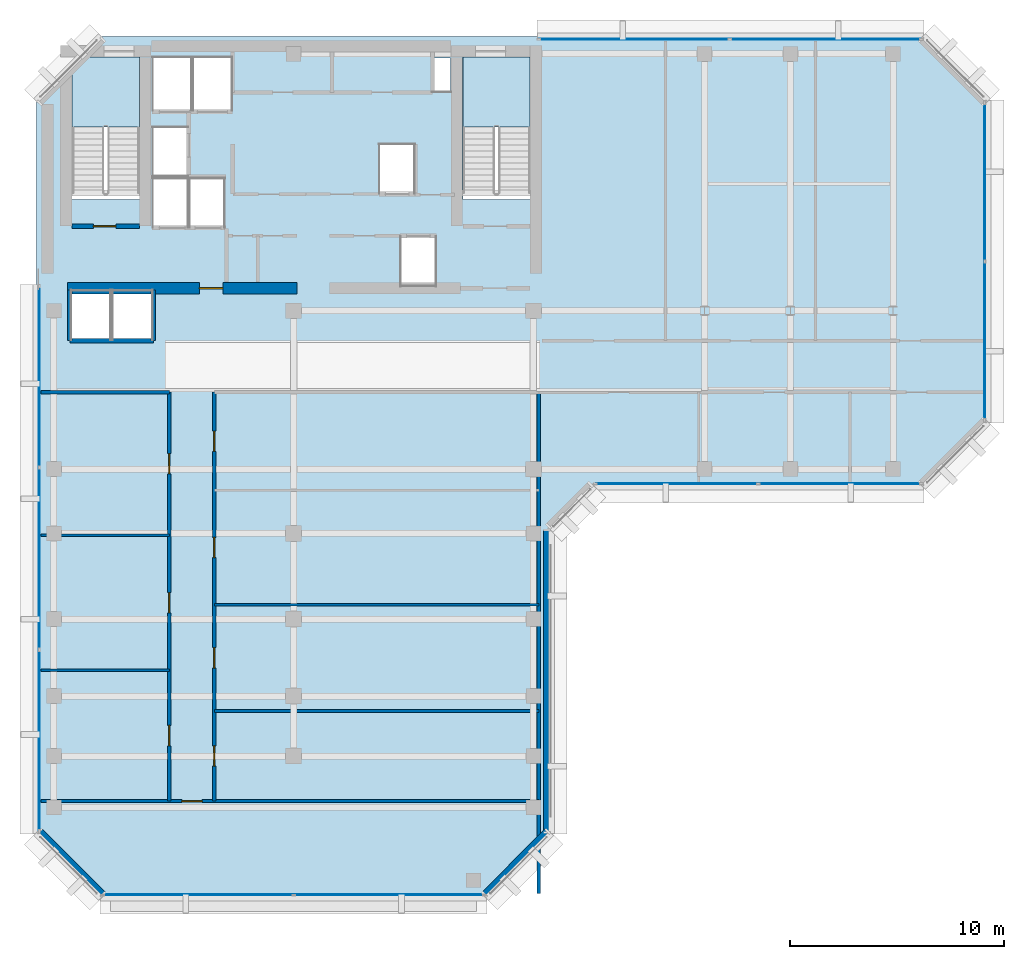
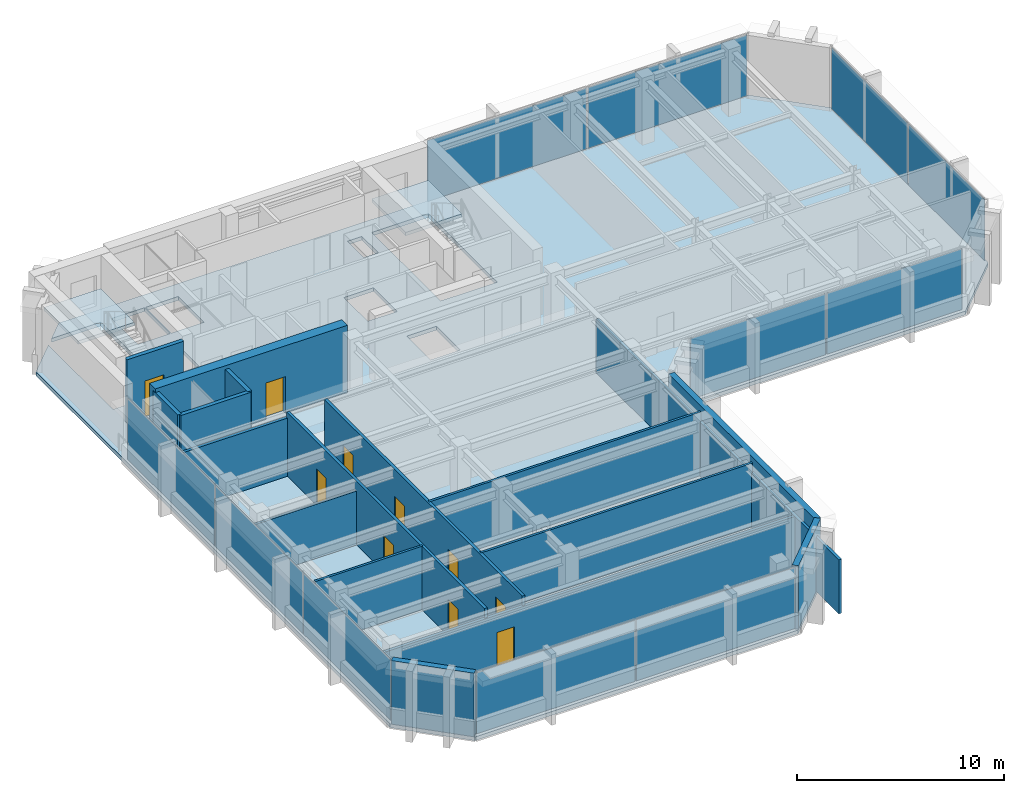
# One storey, part 6 of 11: 17 walls, 11 plates, 10 doors, 3 slabs, 10 openings, 7 elements without a shape of their own.
"""IFC4 building model written with IfcOpenShell, lengths in metres."""

from ifc_helpers import new_model, si_unit, direction, frame, frame_2d, origin, origin_2d, place, context, subcontext, project, spatial, polyline, rectangle, outline, extrude, material, layer, layer_set, type_object, element, fill, aggregate, save


model = new_model("IFC4")

# Units and contexts
model_context = context("Model", 3, precision=1e-05, world=origin(), true_north=direction((0.0, 1.0)))
body_context = subcontext(model_context, "Body", "Model", "MODEL_VIEW")
ifc_project = project(units=[si_unit("LENGTHUNIT", "METRE"), si_unit("AREAUNIT", "SQUARE_METRE"), si_unit("VOLUMEUNIT", "CUBIC_METRE"), si_unit("PLANEANGLEUNIT", "RADIAN"), si_unit("MASSUNIT", "GRAM", prefix="KILO")], contexts=[model_context])

# Site, building, storey
site_placement = place(None, origin())
site = spatial("IfcSite", under=ifc_project, at=site_placement, CompositionType="ELEMENT")
building_placement = place(site_placement, origin())
building = spatial("IfcBuilding", under=site, at=building_placement, Name="Kefirva Bronze Tower", CompositionType="ELEMENT")
storey_placement = place(building_placement, frame((0.0, 0.0, 292.050048828125)))
storey = spatial("IfcBuildingStorey", under=building, at=storey_placement, Name="L71", CompositionType="ELEMENT", Elevation=292.050048828125)

# Stair, slab
ifc_material_1 = material(Name="Concrete C40/50", Category="concrete")
stair_type = type_object("IfcStairType", Name="RC Dogleg Protected Stair 24R", PredefinedType="HALF_TURN_STAIR", material=ifc_material_1)
stair_1_placement = place(storey_placement, origin())
stair_1 = element("IfcStair", 1, at=stair_1_placement, inside=storey, type_object=stair_type, Name="L71 Protected Exit Stair 1", PredefinedType="HALF_TURN_STAIR")
ifc_layer_1 = layer(ifc_material_1, 0.199951171875, Name="Concrete C40/50")
ifc_layer_set_1 = layer_set([ifc_layer_1], Name="Concrete C40/50")
slab_type_1 = type_object("IfcSlabType", Name="RC Stair Landing Slab 200mm", PredefinedType="LANDING", material=ifc_layer_set_1)
slab_1_placement = place(storey_placement, frame((0.0, 0.0, 1.780029296875)))
slab_1 = element("IfcSlab", 2, at=slab_1_placement, type_object=slab_type_1, Name="ST-1 landing 1", PredefinedType="LANDING", context=body_context, shape_type="SweptSolid", body=[
    extrude(outline(polyline([(4.800048828125, 41.780029296875), (4.800048828125, 45.050048828125), (1.64990234375, 45.050048828125), (1.64990234375, 41.780029296875), (4.800048828125, 41.780029296875)])), origin(), (0.0, 0.0, 1.0), 0.199951171875),
])
aggregate(stair_1, [slab_1])

stair_2_placement = place(storey_placement, origin())
stair_2 = element("IfcStair", 3, at=stair_2_placement, inside=storey, type_object=stair_type, Name="L71 Protected Exit Stair 2", PredefinedType="HALF_TURN_STAIR")
slab_2_placement = place(storey_placement, frame((0.0, 0.0, 1.780029296875)))
slab_2 = element("IfcSlab", 4, at=slab_2_placement, type_object=slab_type_1, Name="ST-2 landing 1", PredefinedType="LANDING", context=body_context, shape_type="SweptSolid", body=[
    extrude(outline(polyline([(23.050048828125, 41.780029296875), (23.050048828125, 45.050048828125), (19.89990234375, 45.050048828125), (19.89990234375, 41.780029296875), (23.050048828125, 41.780029296875)])), origin(), (0.0, 0.0, 1.0), 0.199951171875),
])
aggregate(stair_2, [slab_2])

# Slab
ifc_layer_2 = layer(ifc_material_1, 0.219970703125, Name="Concrete C40/50")
ifc_layer_set_2 = layer_set([ifc_layer_2], Name="Concrete C40/50")
slab_type_2 = type_object("IfcSlabType", Name="RC Upper Floor Slab 220mm", PredefinedType="FLOOR", material=ifc_layer_set_2)
slab_3_placement = place(storey_placement, frame((0.0, 0.0, -0.219970703125)))
element("IfcSlab", 5, at=slab_3_placement, inside=storey, type_object=slab_type_2, Name="L71 Structural Floor Slab", PredefinedType="FLOOR", context=body_context, shape_type="SweptSolid", body=[
    extrude(outline(polyline([(0.0, 8.800048828125), (0.0, 43.0), (1.64990234375, 44.64990234375), (1.64990234375, 38.39990234375), (4.800048828125, 38.39990234375), (4.800048828125, 45.050048828125), (2.050048828125, 45.050048828125), (3.0, 46.0), (41.39990234375, 46.0), (44.39990234375, 43.0), (44.39990234375, 28.0), (41.39990234375, 25.0), (26.0, 25.0), (24.0, 23.0), (24.0, 8.800048828125), (21.0, 5.800048828125), (3.0, 5.800048828125), (0.0, 8.800048828125)]), holes=[polyline([(23.050048828125, 45.050048828125), (19.89990234375, 45.050048828125), (19.89990234375, 38.39990234375), (23.050048828125, 38.39990234375), (23.050048828125, 45.050048828125)]), polyline([(19.320068359375, 43.419921875), (19.320068359375, 45.0), (18.52001953125, 45.0), (18.52001953125, 43.419921875), (19.320068359375, 43.419921875)]), polyline([(18.64990234375, 36.64990234375), (17.0, 36.64990234375), (17.0, 34.35009765625), (18.64990234375, 34.35009765625), (18.64990234375, 36.64990234375)]), polyline([(17.64990234375, 38.679931640625), (17.64990234375, 40.97998046875), (16.0, 40.97998046875), (16.0, 38.679931640625), (17.64990234375, 38.679931640625)]), polyline([(9.1201171875, 42.550048828125), (9.1201171875, 45.050048828125), (7.300048828125, 45.050048828125), (7.300048828125, 42.550048828125), (9.1201171875, 42.550048828125)]), polyline([(8.780029296875, 37.10009765625), (8.780029296875, 39.39990234375), (7.139892578125, 39.39990234375), (7.139892578125, 37.10009765625), (8.780029296875, 37.10009765625)]), polyline([(7.239990234375, 42.550048828125), (7.239990234375, 45.050048828125), (5.419921875, 45.050048828125), (5.419921875, 42.550048828125), (7.239990234375, 42.550048828125)]), polyline([(7.06005859375, 37.10009765625), (7.06005859375, 39.39990234375), (5.419921875, 39.39990234375), (5.419921875, 37.10009765625), (7.06005859375, 37.10009765625)]), polyline([(7.06005859375, 41.780029296875), (5.419921875, 41.780029296875), (5.419921875, 39.47998046875), (7.06005859375, 39.47998046875), (7.06005859375, 41.780029296875)]), polyline([(5.39990234375, 31.85009765625), (5.39990234375, 34.14990234375), (3.550048828125, 34.14990234375), (3.550048828125, 31.85009765625), (5.39990234375, 31.85009765625)]), polyline([(3.449951171875, 34.14990234375), (1.60009765625, 34.14990234375), (1.60009765625, 31.85009765625), (3.449951171875, 31.85009765625), (3.449951171875, 34.14990234375)])]), origin(), (0.0, 0.0, 1.0), 0.219970703125),
])

# Curtain wall, plates
ifc_material_2 = material(Name="Bronze anodised aluminium", Category="aluminium")
ifc_layer_3 = layer(ifc_material_2, 0.179931640625, Name="Bronze anodised aluminium")
ifc_layer_set_3 = layer_set([ifc_layer_3], Name="Bronze anodised aluminium")
curtain_wall_type = type_object("IfcCurtainWallType", Name="Unitised Bronze Ribbon Curtain Wall Zone 4", PredefinedType="USERDEFINED", material=ifc_layer_set_3)
curtain_wall_1_placement = place(storey_placement, origin())
curtain_wall_1 = element("IfcCurtainWall", 6, at=curtain_wall_1_placement, inside=storey, type_object=curtain_wall_type, Name="L71 Curtain Wall 1", ObjectType="UNITISED CURTAIN WALL", PredefinedType="USERDEFINED")
ifc_material_3 = material(Name="Laminated low-E double glazing", Category="glass")
ifc_layer_4 = layer(ifc_material_3, 0.031982421875, Name="Laminated low-E double glazing")
ifc_layer_set_4 = layer_set([ifc_layer_4], Name="Laminated low-E double glazing")
plate_type = type_object("IfcPlateType", Name="Solar-Control Low-E Vision Panel 32mm", PredefinedType="CURTAIN_PANEL", material=ifc_layer_set_4)
plate_1_placement = place(storey_placement, frame((7.546142578125, 5.919921875, 0.07470703125), z_axis=(0.0, 0.0, 1.0), x_axis=(1.0, 0.0, 0.0)))
plate_1 = element("IfcPlate", 7, at=plate_1_placement, type_object=plate_type, Name="CW-04 panel 1.1", PredefinedType="CURTAIN_PANEL", context=body_context, shape_type="SweptSolid", body=[
    extrude(rectangle(XDim=8.83251953125, YDim=0.031982421875, at=origin_2d()), origin(), (0.0, 0.0, 1.0), 3.590087890625),
])
plate_2_placement = place(storey_placement, frame((16.453857421875, 5.919921875, 0.07470703125), z_axis=(0.0, 0.0, 1.0), x_axis=(1.0, 0.0, 0.0)))
plate_2 = element("IfcPlate", 8, at=plate_2_placement, type_object=plate_type, Name="CW-04 panel 2.1", PredefinedType="CURTAIN_PANEL", context=body_context, shape_type="SweptSolid", body=[
    extrude(rectangle(XDim=8.83251953125, YDim=0.031982421875, at=origin_2d()), origin(), (0.0, 0.0, 1.0), 3.590087890625),
])
aggregate(curtain_wall_1, [plate_1, plate_2])

curtain_wall_2_placement = place(storey_placement, origin())
curtain_wall_2 = element("IfcCurtainWall", 9, at=curtain_wall_2_placement, inside=storey, type_object=curtain_wall_type, Name="L71 Curtain Wall 2", ObjectType="UNITISED CURTAIN WALL", PredefinedType="USERDEFINED")
plate_3_placement = place(storey_placement, frame((29.896240234375, 25.1201171875, 0.07470703125), z_axis=(0.0, 0.0, 1.0), x_axis=(1.0, 0.0, 0.0)))
plate_3 = element("IfcPlate", 10, at=plate_3_placement, type_object=plate_type, Name="CW-04 panel 1.1", PredefinedType="CURTAIN_PANEL", context=body_context, shape_type="SweptSolid", body=[
    extrude(rectangle(XDim=7.532470703125, YDim=0.031982421875, at=origin_2d()), origin(), (0.0, 0.0, 1.0), 3.590087890625),
])
plate_4_placement = place(storey_placement, frame((37.503662109375, 25.1201171875, 0.07470703125), z_axis=(0.0, 0.0, 1.0), x_axis=(1.0, 0.0, 0.0)))
plate_4 = element("IfcPlate", 11, at=plate_4_placement, type_object=plate_type, Name="CW-04 panel 2.1", PredefinedType="CURTAIN_PANEL", context=body_context, shape_type="SweptSolid", body=[
    extrude(rectangle(XDim=7.532470703125, YDim=0.031982421875, at=origin_2d()), origin(), (0.0, 0.0, 1.0), 3.590087890625),
])
aggregate(curtain_wall_2, [plate_3, plate_4])

curtain_wall_3_placement = place(storey_placement, origin())
curtain_wall_3 = element("IfcCurtainWall", 12, at=curtain_wall_3_placement, inside=storey, type_object=curtain_wall_type, Name="L71 Curtain Wall 3", ObjectType="UNITISED CURTAIN WALL", PredefinedType="USERDEFINED")
plate_5_placement = place(storey_placement, frame((44.280029296875, 31.796142578125, 0.07470703125), z_axis=(0.0, 0.0, 1.0), x_axis=(0.0, 1.0, 0.0)))
plate_5 = element("IfcPlate", 13, at=plate_5_placement, type_object=plate_type, Name="CW-04 panel 1.1", PredefinedType="CURTAIN_PANEL", context=body_context, shape_type="SweptSolid", body=[
    extrude(rectangle(XDim=7.33251953125, YDim=0.031982421875, at=origin_2d()), origin(), (0.0, 0.0, 1.0), 3.590087890625),
])
plate_6_placement = place(storey_placement, frame((44.280029296875, 39.203857421875, 0.07470703125), z_axis=(0.0, 0.0, 1.0), x_axis=(0.0, 1.0, 0.0)))
plate_6 = element("IfcPlate", 14, at=plate_6_placement, type_object=plate_type, Name="CW-04 panel 2.1", PredefinedType="CURTAIN_PANEL", context=body_context, shape_type="SweptSolid", body=[
    extrude(rectangle(XDim=7.33251953125, YDim=0.031982421875, at=origin_2d()), origin(), (0.0, 0.0, 1.0), 3.590087890625),
])
aggregate(curtain_wall_3, [plate_5, plate_6])

curtain_wall_4_placement = place(storey_placement, origin())
curtain_wall_4 = element("IfcCurtainWall", 15, at=curtain_wall_4_placement, inside=storey, type_object=curtain_wall_type, Name="L71 Curtain Wall 4", ObjectType="UNITISED CURTAIN WALL", PredefinedType="USERDEFINED")
plate_7_placement = place(storey_placement, frame((36.84130859375, 45.8798828125, 0.07470703125), z_axis=(0.0, 0.0, 1.0), x_axis=(-1.0, 0.0, 0.0)))
plate_7 = element("IfcPlate", 16, at=plate_7_placement, type_object=plate_type, Name="CW-04 panel 1.1", PredefinedType="CURTAIN_PANEL", context=body_context, shape_type="SweptSolid", body=[
    extrude(rectangle(XDim=8.857421875, YDim=0.031982421875, at=origin_2d()), origin(), (0.0, 0.0, 1.0), 3.590087890625),
])
plate_8_placement = place(storey_placement, frame((27.90869140625, 45.8798828125, 0.07470703125), z_axis=(0.0, 0.0, 1.0), x_axis=(-1.0, 0.0, 0.0)))
plate_8 = element("IfcPlate", 17, at=plate_8_placement, type_object=plate_type, Name="CW-04 panel 2.1", PredefinedType="CURTAIN_PANEL", context=body_context, shape_type="SweptSolid", body=[
    extrude(rectangle(XDim=8.857421875, YDim=0.031982421875, at=origin_2d()), origin(), (0.0, 0.0, 1.0), 3.590087890625),
])
aggregate(curtain_wall_4, [plate_7, plate_8])

curtain_wall_5_placement = place(storey_placement, origin())
curtain_wall_5 = element("IfcCurtainWall", 18, at=curtain_wall_5_placement, inside=storey, type_object=curtain_wall_type, Name="L71 Curtain Wall 5", ObjectType="UNITISED CURTAIN WALL", PredefinedType="USERDEFINED")
plate_9_placement = place(storey_placement, frame((0.1201171875, 30.11962890625, 0.07470703125), z_axis=(0.0, 0.0, 1.0), x_axis=(0.0, -1.0, 0.0)))
plate_9 = element("IfcPlate", 19, at=plate_9_placement, type_object=plate_type, Name="CW-04 panel 1.1", PredefinedType="CURTAIN_PANEL", context=body_context, shape_type="SweptSolid", body=[
    extrude(rectangle(XDim=8.40087890625, YDim=0.031982421875, at=origin_2d()), origin(), (0.0, 0.0, 1.0), 3.590087890625),
])
plate_10_placement = place(storey_placement, frame((0.1201171875, 21.625, 0.07470703125), z_axis=(0.0, 0.0, 1.0), x_axis=(0.0, -1.0, 0.0)))
plate_10 = element("IfcPlate", 20, at=plate_10_placement, type_object=plate_type, Name="CW-04 panel 2.1", PredefinedType="CURTAIN_PANEL", context=body_context, shape_type="SweptSolid", body=[
    extrude(rectangle(XDim=8.438232421875, YDim=0.031982421875, at=origin_2d()), origin(), (0.0, 0.0, 1.0), 3.590087890625),
])
plate_11_placement = place(storey_placement, frame((0.1201171875, 13.13037109375, 0.07470703125), z_axis=(0.0, 0.0, 1.0), x_axis=(0.0, -1.0, 0.0)))
plate_11 = element("IfcPlate", 21, at=plate_11_placement, type_object=plate_type, Name="CW-04 panel 3.1", PredefinedType="CURTAIN_PANEL", context=body_context, shape_type="SweptSolid", body=[
    extrude(rectangle(XDim=8.40087890625, YDim=0.031982421875, at=origin_2d()), origin(), (0.0, 0.0, 1.0), 3.590087890625),
])
aggregate(curtain_wall_5, [plate_9, plate_10, plate_11])

# Walls
ifc_material_4 = material(Name="Gypsum acoustic partition")
ifc_layer_5 = layer(ifc_material_4, 0.1298828125, Name="Gypsum acoustic partition")
ifc_layer_set_5 = layer_set([ifc_layer_5], Name="Gypsum acoustic partition")
wall_type_1 = type_object("IfcWallType", Name="Acoustic Office Partition 130mm", PredefinedType="PARTITIONING", material=ifc_layer_set_5)
wall_1_placement = place(storey_placement, frame((0.18994140625, 16.412109375, 0.0), z_axis=(0.0, 0.0, 1.0), x_axis=(1.0, 0.0, 0.0)))
element("IfcWall", 22, at=wall_1_placement, inside=storey, type_object=wall_type_1, Name="L71 Partition W-L71-SWD1", PredefinedType="PARTITIONING", context=body_context, shape_type="SweptSolid", body=[
    extrude(rectangle(XDim=6.010009765625, YDim=0.1298828125, at=frame_2d((3.0048828125, 0.0))), origin(), (0.0, 0.0, 1.0), 3.739990234375),
])
wall_2_placement = place(storey_placement, frame((0.18994140625, 22.715087890625, 0.0), z_axis=(0.0, 0.0, 1.0), x_axis=(1.0, 0.0, 0.0)))
element("IfcWall", 23, at=wall_2_placement, inside=storey, type_object=wall_type_1, Name="L71 Partition W-L71-SWD2", PredefinedType="PARTITIONING", context=body_context, shape_type="SweptSolid", body=[
    extrude(rectangle(XDim=6.010009765625, YDim=0.1298828125, at=frame_2d((3.0048828125, 0.0))), origin(), (0.0, 0.0, 1.0), 3.175048828125),
])
for number, where, z_axis, x_axis, name in (
    (24, (8.300048828125, 14.501953125, 0.0), (0.0, 0.0, 1.0), (1.0, 0.0, 0.0), "L71 Partition W-L71-SED1"),
    (25, (8.300048828125, 19.468017578125, 0.0), (0.0, 0.0, 1.0), (1.0, 0.0, 0.0), "L71 Partition W-L71-SED2"),
):
    element("IfcWall", number, at=place(storey_placement, frame(where, z_axis=z_axis, x_axis=x_axis)), inside=storey, type_object=wall_type_1, Name=name, PredefinedType="PARTITIONING", context=body_context, shape_type="SweptSolid", body=[
        extrude(rectangle(XDim=15.14990234375, YDim=0.1298828125, at=frame_2d((7.574951171875, 0.0))), origin(), (0.0, 0.0, 1.0), 3.739990234375),
    ])

# Wall, opening, door
ifc_material_5 = material(Name="Gypsum fireboard shaftwall")
ifc_layer_6 = layer(ifc_material_5, 0.219970703125, Name="Gypsum fireboard shaftwall")
ifc_layer_set_6 = layer_set([ifc_layer_6], Name="Gypsum fireboard shaftwall")
wall_type_2 = type_object("IfcWallType", Name="Fire-Rated Shaft Enclosure Wall 220mm", PredefinedType="PARTITIONING", material=ifc_layer_set_6)
wall_3_placement = place(storey_placement, frame((1.64990234375, 37.14990234375, 0.0), z_axis=(0.0, 0.0, 1.0), x_axis=(1.0, 0.0, 0.0)))
wall_3 = element("IfcWall", 26, at=wall_3_placement, inside=storey, type_object=wall_type_2, Name="L71 Partition W-L71-ST1S", PredefinedType="PARTITIONING", context=body_context, shape_type="SweptSolid", body=[
    extrude(rectangle(XDim=3.150146484375, YDim=0.219970703125, at=frame_2d((1.5751953125, 0.0))), origin(), (0.0, 0.0, 1.0), 3.739990234375),
])
opening_1_placement = place(wall_3_placement, frame((2.050048828125, 0.0, 0.0), z_axis=(0.0, 0.0, 1.0), x_axis=(-1.0, 0.0, 0.0)))
opening_1 = element("IfcOpeningElement", 27, at=opening_1_placement, cuts=wall_3, Name="Opening L71-D001", PredefinedType="OPENING", context=body_context, shape_type="SweptSolid", body=[
    extrude(rectangle(XDim=1.050048828125, YDim=2.14990234375, at=frame_2d((0.52490234375, 1.074951171875))), frame((0.0, 0.1201171875, 0.0), z_axis=(0.0, -1.0, 0.0), x_axis=(1.0, 0.0, 0.0)), (0.0, 0.0, 1.0), 0.239990234375),
])
ifc_material_6 = material(Name="Painted galvanized steel", Category="steel")
door_type_1 = type_object("IfcDoorType", Name="Fire Stair Enclosure Door 1050x2150 FD90S", OperationType="NOTDEFINED", PredefinedType="DOOR", material=ifc_material_6)
door_1_placement = place(opening_1_placement, origin())
door_1 = element("IfcDoor", 28, at=door_1_placement, inside=storey, type_object=door_type_1, Name="Door L71-D001", OperationType="SINGLE_SWING_LEFT", OverallHeight=2.14990234375, OverallWidth=1.050048828125, PredefinedType="DOOR", context=body_context, shape_type="SweptSolid", body=[
    extrude(rectangle(XDim=1.050048828125, YDim=2.14990234375, at=frame_2d((0.52490234375, 1.074951171875))), frame((0.0, 0.02490234375, 0.0), z_axis=(0.0, -1.0, 0.0), x_axis=(1.0, 0.0, 0.0)), (0.0, 0.0, 1.0), 0.050048828125),
])
fill(opening_1, door_1)

# Walls
wall_4_placement = place(storey_placement, frame((1.550048828125, 31.800048828125, 0.0), z_axis=(0.0, 0.0, 1.0), x_axis=(1.0, 0.0, 0.0)))
element("IfcWall", 29, at=wall_4_placement, inside=storey, type_object=wall_type_2, Name="L71 Partition W-L71-OBS", PredefinedType="PARTITIONING", context=body_context, shape_type="SweptSolid", body=[
    extrude(rectangle(XDim=3.89990234375, YDim=0.219970703125, at=frame_2d((1.949951171875, 0.0))), origin(), (0.0, 0.0, 1.0), 3.739990234375),
])
for number, where, z_axis, x_axis, name in (
    (30, (1.550048828125, 31.800048828125, 0.0), (0.0, 0.0, 1.0), (0.0, 1.0, 0.0), "L71 Partition W-L71-OBW"),
    (31, (5.449951171875, 31.800048828125, 0.0), (0.0, 0.0, 1.0), (0.0, 1.0, 0.0), "L71 Partition W-L71-OBE"),
):
    element("IfcWall", number, at=place(storey_placement, frame(where, z_axis=z_axis, x_axis=x_axis)), inside=storey, type_object=wall_type_2, Name=name, PredefinedType="PARTITIONING", context=body_context, shape_type="SweptSolid", body=[
        extrude(rectangle(XDim=2.3798828125, YDim=0.219970703125, at=frame_2d((1.18994140625, 0.0))), origin(), (0.0, 0.0, 1.0), 3.739990234375),
    ])
ifc_material_7 = material(Name="Precast concrete C40/50", Category="concrete")
ifc_layer_7 = layer(ifc_material_7, 0.320068359375, Name="Precast concrete C40/50")
ifc_layer_set_7 = layer_set([ifc_layer_7], Name="Precast concrete C40/50")
wall_type_3 = type_object("IfcWallType", Name="Precast Insulated Exterior Wall 320mm", PredefinedType="SOLIDWALL", material=ifc_layer_set_7)
wall_5_placement = place(storey_placement, frame((20.92578125, 5.951904296875, 0.0), z_axis=(0.0, 0.0, 1.0), x_axis=(0.707077242712, 0.707136318428, 0.0)))
element("IfcWall", 32, at=wall_5_placement, inside=storey, type_object=wall_type_3, Name="L71 Exterior Facade Wall 1", PredefinedType="SOLIDWALL", context=body_context, shape_type="SweptSolid", body=[
    extrude(rectangle(XDim=4.132568359375, YDim=0.320068359375, at=frame_2d((2.06640625, 0.0))), origin(), (0.0, 0.0, 1.0), 3.739990234375),
])
wall_6_placement = place(storey_placement, frame((23.840087890625, 8.85498046875, 0.0), z_axis=(0.0, 0.0, 1.0), x_axis=(0.0, 1.0, 0.0)))
element("IfcWall", 33, at=wall_6_placement, inside=storey, type_object=wall_type_3, Name="L71 Exterior Facade Wall 2", PredefinedType="SOLIDWALL", context=body_context, shape_type="SweptSolid", body=[
    extrude(rectangle(XDim=14.090087890625, YDim=0.320068359375, at=frame_2d((7.044921875, 0.0))), origin(), (0.0, 0.0, 1.0), 3.739990234375),
])
wall_7_placement = place(storey_placement, frame((0.152099609375, 8.874267578125, 0.0), z_axis=(0.0, 0.0, 1.0), x_axis=(0.707077242712, -0.707136318428, 0.0)))
element("IfcWall", 34, at=wall_7_placement, inside=storey, type_object=wall_type_3, Name="L71 Exterior Facade Wall 7", PredefinedType="SOLIDWALL", context=body_context, shape_type="SweptSolid", body=[
    extrude(rectangle(XDim=4.132568359375, YDim=0.320068359375, at=frame_2d((2.06640625, 0.0))), origin(), (0.0, 0.0, 1.0), 3.739990234375),
])

# Wall, openings, doors
ifc_layer_8 = layer(ifc_material_4, 0.159912109375, Name="Gypsum acoustic partition")
ifc_layer_set_8 = layer_set([ifc_layer_8], Name="Gypsum acoustic partition")
wall_type_4 = type_object("IfcWallType", Name="Protected Corridor Partition 160mm", PredefinedType="PARTITIONING", material=ifc_layer_set_8)
wall_8_placement = place(storey_placement, frame((6.199951171875, 10.300048828125, 0.0), z_axis=(0.0, 0.0, 1.0), x_axis=(0.0, 1.0, 0.0)))
wall_8 = element("IfcWall", 35, at=wall_8_placement, inside=storey, type_object=wall_type_4, Name="L71 Partition W-L71-SWCORW", PredefinedType="PARTITIONING", context=body_context, shape_type="SweptSolid", body=[
    extrude(rectangle(XDim=19.099853515625, YDim=0.159912109375, at=frame_2d((9.5498046875, 0.0))), origin(), (0.0, 0.0, 1.0), 3.739990234375),
])
opening_2_placement = place(wall_8_placement, frame((3.531005859375, 0.0, 0.0), z_axis=(0.0, 0.0, 1.0), x_axis=(-1.0, 0.0, 0.0)))
opening_2 = element("IfcOpeningElement", 36, at=opening_2_placement, cuts=wall_8, Name="Opening L71-D-SW1", PredefinedType="OPENING", context=body_context, shape_type="SweptSolid", body=[
    extrude(rectangle(XDim=0.949951171875, YDim=2.14990234375, at=frame_2d((0.47509765625, 1.074951171875))), frame((0.0, 0.08984375, 0.0), z_axis=(0.0, -1.0, 0.0), x_axis=(1.0, 0.0, 0.0)), (0.0, 0.0, 1.0), 0.179931640625),
])
opening_3_placement = place(wall_8_placement, frame((9.738525390625, 0.0, 0.0), z_axis=(0.0, 0.0, 1.0), x_axis=(-1.0, 0.0, 0.0)))
opening_3 = element("IfcOpeningElement", 37, at=opening_3_placement, cuts=wall_8, Name="Opening L71-D-SW2", PredefinedType="OPENING", context=body_context, shape_type="SweptSolid", body=[
    extrude(rectangle(XDim=0.949951171875, YDim=2.14990234375, at=frame_2d((0.47509765625, 1.074951171875))), frame((0.0, 0.08984375, 0.0), z_axis=(0.0, -1.0, 0.0), x_axis=(1.0, 0.0, 0.0)), (0.0, 0.0, 1.0), 0.179931640625),
])
opening_4_placement = place(wall_8_placement, frame((16.232421875, 0.0, 0.0), z_axis=(0.0, 0.0, 1.0), x_axis=(-1.0, 0.0, 0.0)))
opening_4 = element("IfcOpeningElement", 38, at=opening_4_placement, cuts=wall_8, Name="Opening L71-D-SW3", PredefinedType="OPENING", context=body_context, shape_type="SweptSolid", body=[
    extrude(rectangle(XDim=0.949951171875, YDim=2.14990234375, at=frame_2d((0.47509765625, 1.074951171875))), frame((0.0, 0.08984375, 0.0), z_axis=(0.0, -1.0, 0.0), x_axis=(1.0, 0.0, 0.0)), (0.0, 0.0, 1.0), 0.179931640625),
])
ifc_material_8 = material(Name="Acoustic hardwood oak", Category="wood")
door_type_2 = type_object("IfcDoorType", Name="Office & Meeting Room Door 950x2150", OperationType="NOTDEFINED", PredefinedType="DOOR", material=ifc_material_8)
door_2_placement = place(opening_2_placement, origin())
door_2 = element("IfcDoor", 39, at=door_2_placement, inside=storey, type_object=door_type_2, Name="Door L71-D-SW1", OperationType="SINGLE_SWING_RIGHT", OverallHeight=2.14990234375, OverallWidth=0.949951171875, PredefinedType="DOOR", context=body_context, shape_type="SweptSolid", body=[
    extrude(rectangle(XDim=0.949951171875, YDim=2.14990234375, at=frame_2d((0.47509765625, 1.074951171875))), frame((0.0, 0.02490234375, 0.0), z_axis=(0.0, -1.0, 0.0), x_axis=(1.0, 0.0, 0.0)), (0.0, 0.0, 1.0), 0.050048828125),
])
fill(opening_2, door_2)
door_3_placement = place(opening_3_placement, origin())
door_3 = element("IfcDoor", 40, at=door_3_placement, inside=storey, type_object=door_type_2, Name="Door L71-D-SW2", OperationType="SINGLE_SWING_LEFT", OverallHeight=2.14990234375, OverallWidth=0.949951171875, PredefinedType="DOOR", context=body_context, shape_type="SweptSolid", body=[
    extrude(rectangle(XDim=0.949951171875, YDim=2.14990234375, at=frame_2d((0.47509765625, 1.074951171875))), frame((0.0, 0.02490234375, 0.0), z_axis=(0.0, -1.0, 0.0), x_axis=(1.0, 0.0, 0.0)), (0.0, 0.0, 1.0), 0.050048828125),
])
fill(opening_3, door_3)
door_4_placement = place(opening_4_placement, origin())
door_4 = element("IfcDoor", 41, at=door_4_placement, inside=storey, type_object=door_type_2, Name="Door L71-D-SW3", OperationType="SINGLE_SWING_RIGHT", OverallHeight=2.14990234375, OverallWidth=0.949951171875, PredefinedType="DOOR", context=body_context, shape_type="SweptSolid", body=[
    extrude(rectangle(XDim=0.949951171875, YDim=2.14990234375, at=frame_2d((0.47509765625, 1.074951171875))), frame((0.0, 0.02490234375, 0.0), z_axis=(0.0, -1.0, 0.0), x_axis=(1.0, 0.0, 0.0)), (0.0, 0.0, 1.0), 0.050048828125),
])
fill(opening_4, door_4)

wall_9_placement = place(storey_placement, frame((8.300048828125, 10.300048828125, 0.0), z_axis=(0.0, 0.0, 1.0), x_axis=(0.0, 1.0, 0.0)))
wall_9 = element("IfcWall", 42, at=wall_9_placement, inside=storey, type_object=wall_type_4, Name="L71 Partition W-L71-SECORE", PredefinedType="PARTITIONING", context=body_context, shape_type="SweptSolid", body=[
    extrude(rectangle(XDim=19.099853515625, YDim=0.159912109375, at=frame_2d((9.5498046875, 0.0))), origin(), (0.0, 0.0, 1.0), 3.739990234375),
])
opening_5_placement = place(wall_9_placement, frame((1.6259765625, 0.0, 0.0)))
opening_5 = element("IfcOpeningElement", 43, at=opening_5_placement, cuts=wall_9, Name="Opening L71-D-SE1", PredefinedType="OPENING", context=body_context, shape_type="SweptSolid", body=[
    extrude(rectangle(XDim=0.949951171875, YDim=2.14990234375, at=frame_2d((0.47509765625, 1.074951171875))), frame((0.0, 0.08984375, 0.0), z_axis=(0.0, -1.0, 0.0), x_axis=(1.0, 0.0, 0.0)), (0.0, 0.0, 1.0), 0.179931640625),
])
opening_6_placement = place(wall_9_placement, frame((6.2099609375, 0.0, 0.0)))
opening_6 = element("IfcOpeningElement", 44, at=opening_6_placement, cuts=wall_9, Name="Opening L71-D-SE2", PredefinedType="OPENING", context=body_context, shape_type="SweptSolid", body=[
    extrude(rectangle(XDim=0.949951171875, YDim=2.14990234375, at=frame_2d((0.47509765625, 1.074951171875))), frame((0.0, 0.08984375, 0.0), z_axis=(0.0, -1.0, 0.0), x_axis=(1.0, 0.0, 0.0)), (0.0, 0.0, 1.0), 0.179931640625),
])
opening_7_placement = place(wall_9_placement, frame((11.366943359375, 0.0, 0.0)))
opening_7 = element("IfcOpeningElement", 45, at=opening_7_placement, cuts=wall_9, Name="Opening L71-D-SE3", PredefinedType="OPENING", context=body_context, shape_type="SweptSolid", body=[
    extrude(rectangle(XDim=0.949951171875, YDim=2.14990234375, at=frame_2d((0.47509765625, 1.074951171875))), frame((0.0, 0.08984375, 0.0), z_axis=(0.0, -1.0, 0.0), x_axis=(1.0, 0.0, 0.0)), (0.0, 0.0, 1.0), 0.179931640625),
])
opening_8_placement = place(wall_9_placement, frame((16.3330078125, 0.0, 0.0)))
opening_8 = element("IfcOpeningElement", 46, at=opening_8_placement, cuts=wall_9, Name="Opening L71-D-SE4", PredefinedType="OPENING", context=body_context, shape_type="SweptSolid", body=[
    extrude(rectangle(XDim=0.949951171875, YDim=2.14990234375, at=frame_2d((0.47509765625, 1.074951171875))), frame((0.0, 0.08984375, 0.0), z_axis=(0.0, -1.0, 0.0), x_axis=(1.0, 0.0, 0.0)), (0.0, 0.0, 1.0), 0.179931640625),
])
door_5_placement = place(opening_5_placement, origin())
door_5 = element("IfcDoor", 47, at=door_5_placement, inside=storey, type_object=door_type_2, Name="Door L71-D-SE1", OperationType="SINGLE_SWING_LEFT", OverallHeight=2.14990234375, OverallWidth=0.949951171875, PredefinedType="DOOR", context=body_context, shape_type="SweptSolid", body=[
    extrude(rectangle(XDim=0.949951171875, YDim=2.14990234375, at=frame_2d((0.47509765625, 1.074951171875))), frame((0.0, 0.02490234375, 0.0), z_axis=(0.0, -1.0, 0.0), x_axis=(1.0, 0.0, 0.0)), (0.0, 0.0, 1.0), 0.050048828125),
])
fill(opening_5, door_5)
door_6_placement = place(opening_6_placement, origin())
door_6 = element("IfcDoor", 48, at=door_6_placement, inside=storey, type_object=door_type_2, Name="Door L71-D-SE2", OperationType="SINGLE_SWING_RIGHT", OverallHeight=2.14990234375, OverallWidth=0.949951171875, PredefinedType="DOOR", context=body_context, shape_type="SweptSolid", body=[
    extrude(rectangle(XDim=0.949951171875, YDim=2.14990234375, at=frame_2d((0.47509765625, 1.074951171875))), frame((0.0, 0.02490234375, 0.0), z_axis=(0.0, -1.0, 0.0), x_axis=(1.0, 0.0, 0.0)), (0.0, 0.0, 1.0), 0.050048828125),
])
fill(opening_6, door_6)
door_7_placement = place(opening_7_placement, origin())
door_7 = element("IfcDoor", 49, at=door_7_placement, inside=storey, type_object=door_type_2, Name="Door L71-D-SE3", OperationType="SINGLE_SWING_LEFT", OverallHeight=2.14990234375, OverallWidth=0.949951171875, PredefinedType="DOOR", context=body_context, shape_type="SweptSolid", body=[
    extrude(rectangle(XDim=0.949951171875, YDim=2.14990234375, at=frame_2d((0.47509765625, 1.074951171875))), frame((0.0, 0.02490234375, 0.0), z_axis=(0.0, -1.0, 0.0), x_axis=(1.0, 0.0, 0.0)), (0.0, 0.0, 1.0), 0.050048828125),
])
fill(opening_7, door_7)
door_8_placement = place(opening_8_placement, origin())
door_8 = element("IfcDoor", 50, at=door_8_placement, inside=storey, type_object=door_type_2, Name="Door L71-D-SE4", OperationType="SINGLE_SWING_RIGHT", OverallHeight=2.14990234375, OverallWidth=0.949951171875, PredefinedType="DOOR", context=body_context, shape_type="SweptSolid", body=[
    extrude(rectangle(XDim=0.949951171875, YDim=2.14990234375, at=frame_2d((0.47509765625, 1.074951171875))), frame((0.0, 0.02490234375, 0.0), z_axis=(0.0, -1.0, 0.0), x_axis=(1.0, 0.0, 0.0)), (0.0, 0.0, 1.0), 0.050048828125),
])
fill(opening_8, door_8)

# Wall, opening, door
wall_10_placement = place(storey_placement, frame((0.18994140625, 10.300048828125, 0.0), z_axis=(0.0, 0.0, 1.0), x_axis=(1.0, 0.0, 0.0)))
wall_10 = element("IfcWall", 51, at=wall_10_placement, inside=storey, type_object=wall_type_4, Name="L71 Partition W-L71-SBEND", PredefinedType="PARTITIONING", context=body_context, shape_type="SweptSolid", body=[
    extrude(rectangle(XDim=23.260009765625, YDim=0.159912109375, at=frame_2d((11.6298828125, 0.0))), origin(), (0.0, 0.0, 1.0), 3.175048828125),
])
opening_9_placement = place(wall_10_placement, frame((6.590087890625, 0.0, 0.0)))
opening_9 = element("IfcOpeningElement", 52, at=opening_9_placement, cuts=wall_10, Name="Opening L71-D-SEND1", PredefinedType="OPENING", context=body_context, shape_type="SweptSolid", body=[
    extrude(rectangle(XDim=0.949951171875, YDim=2.14990234375, at=frame_2d((0.47509765625, 1.074951171875))), frame((0.0, 0.08984375, 0.0), z_axis=(0.0, -1.0, 0.0), x_axis=(1.0, 0.0, 0.0)), (0.0, 0.0, 1.0), 0.179931640625),
])
door_9_placement = place(opening_9_placement, origin())
door_9 = element("IfcDoor", 53, at=door_9_placement, inside=storey, type_object=door_type_2, Name="Door L71-D-SEND1", OperationType="SINGLE_SWING_LEFT", OverallHeight=2.14990234375, OverallWidth=0.949951171875, PredefinedType="DOOR", context=body_context, shape_type="SweptSolid", body=[
    extrude(rectangle(XDim=0.949951171875, YDim=2.14990234375, at=frame_2d((0.47509765625, 1.074951171875))), frame((0.0, 0.02490234375, 0.0), z_axis=(0.0, -1.0, 0.0), x_axis=(1.0, 0.0, 0.0)), (0.0, 0.0, 1.0), 0.050048828125),
])
fill(opening_9, door_9)

# Walls
wall_11_placement = place(storey_placement, frame((0.18994140625, 29.39990234375, 0.0), z_axis=(0.0, 0.0, 1.0), x_axis=(1.0, 0.0, 0.0)))
element("IfcWall", 54, at=wall_11_placement, inside=storey, type_object=wall_type_4, Name="L71 Partition W-L71-NWT", PredefinedType="PARTITIONING", context=body_context, shape_type="SweptSolid", body=[
    extrude(rectangle(XDim=6.010009765625, YDim=0.159912109375, at=frame_2d((3.0048828125, 0.0))), origin(), (0.0, 0.0, 1.0), 3.425048828125),
])
wall_12_placement = place(storey_placement, frame((23.449951171875, 5.989990234375, 0.0), z_axis=(0.0, 0.0, 1.0), x_axis=(0.0, 1.0, 0.0)))
element("IfcWall", 55, at=wall_12_placement, inside=storey, type_object=wall_type_4, Name="L71 Partition W-L71-SWEAST", PredefinedType="PARTITIONING", context=body_context, shape_type="SweptSolid", body=[
    extrude(rectangle(XDim=23.409912109375, YDim=0.159912109375, at=frame_2d((11.705078125, 0.0))), origin(), (0.0, 0.0, 1.0), 3.175048828125),
])

# Wall, opening, door
ifc_material_9 = material(Name="Concrete C50/60", Category="concrete")
ifc_layer_9 = layer(ifc_material_9, 0.550048828125, Name="Concrete C50/60")
ifc_layer_set_9 = layer_set([ifc_layer_9], Name="Concrete C50/60")
wall_type_5 = type_object("IfcWallType", Name="RC Rear Core Interior Wall 550mm", PredefinedType="SHEAR", material=ifc_layer_set_9)
wall_13_placement = place(storey_placement, frame((1.449951171875, 34.25, 0.0), z_axis=(0.0, 0.0, 1.0), x_axis=(1.0, 0.0, 0.0)))
wall_13 = element("IfcWall", 56, at=wall_13_placement, inside=storey, type_object=wall_type_5, Name="L71 Rear Core South-West Shear Wall", PredefinedType="SHEAR", context=body_context, shape_type="SweptSolid", body=[
    extrude(rectangle(XDim=10.7099609375, YDim=0.550048828125, at=frame_2d((5.35498046875, 0.0))), origin(), (0.0, 0.0, 1.0), 3.9599609375),
])
opening_10_placement = place(wall_13_placement, frame((7.25, 0.0, 0.0), z_axis=(0.0, 0.0, 1.0), x_axis=(-1.0, 0.0, 0.0)))
opening_10 = element("IfcOpeningElement", 57, at=opening_10_placement, cuts=wall_13, Name="Opening L71-D002", PredefinedType="OPENING", context=body_context, shape_type="SweptSolid", body=[
    extrude(rectangle(XDim=1.10009765625, YDim=2.14990234375, at=frame_2d((0.550048828125, 1.074951171875))), frame((0.0, 0.28515625, 0.0), z_axis=(0.0, -1.0, 0.0), x_axis=(1.0, 0.0, 0.0)), (0.0, 0.0, 1.0), 0.570068359375),
])
door_type_3 = type_object("IfcDoorType", Name="Firefighting Lobby Smoke Door 1100x2150 FD60S", OperationType="NOTDEFINED", PredefinedType="DOOR", material=ifc_material_6)
door_10_placement = place(opening_10_placement, origin())
door_10 = element("IfcDoor", 58, at=door_10_placement, inside=storey, type_object=door_type_3, Name="Door L71-D002", OperationType="SINGLE_SWING_RIGHT", OverallHeight=2.14990234375, OverallWidth=1.10009765625, PredefinedType="DOOR", context=body_context, shape_type="SweptSolid", body=[
    extrude(rectangle(XDim=1.10009765625, YDim=2.14990234375, at=frame_2d((0.550048828125, 1.074951171875))), frame((0.0, 0.02490234375, 0.0), z_axis=(0.0, -1.0, 0.0), x_axis=(1.0, 0.0, 0.0)), (0.0, 0.0, 1.0), 0.050048828125),
])
fill(opening_10, door_10)

save(model, "model.ifc")
